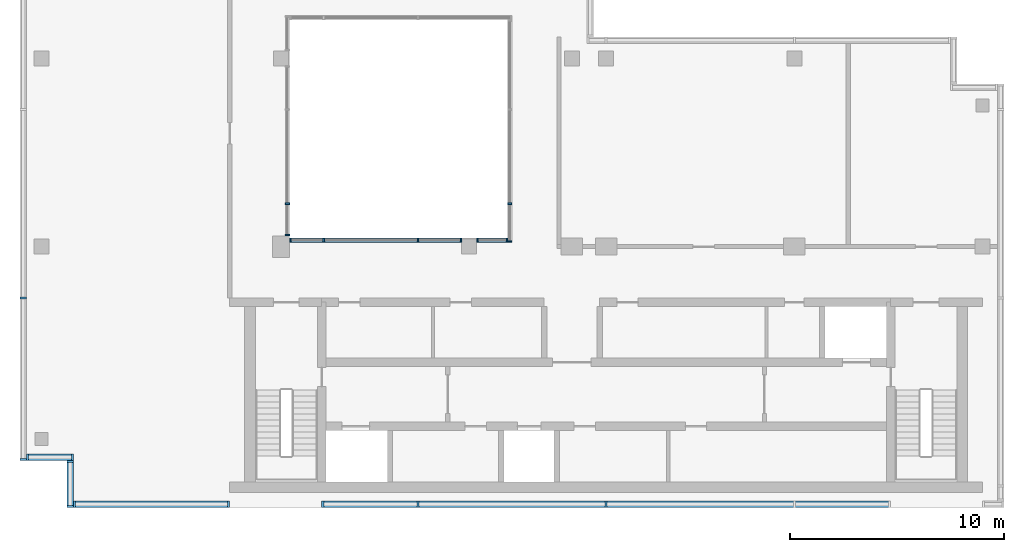
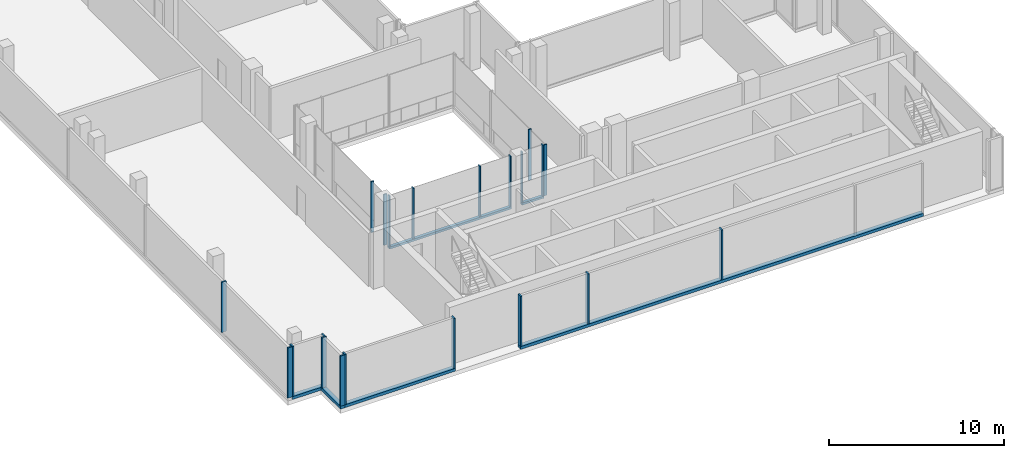
# One storey, part 2 of 10: 27 members, 9 elements without a shape of their own.
"""IFC4 building model written with IfcOpenShell, lengths in metres."""

from ifc_helpers import new_model, si_unit, direction, frame, origin, origin_2d, place, context, subcontext, project, spatial, rectangle, extrude, source, transform, mapped, material, material_profile, profile_set, type_object, element, aggregate, save


model = new_model("IFC4")

# Units and contexts
model_context = context("Model", 3, precision=1e-05, world=origin(), true_north=direction((0.0, 1.0)))
body_context = subcontext(model_context, "Body", "Model", "MODEL_VIEW")
ifc_project = project(units=[si_unit("LENGTHUNIT", "METRE"), si_unit("AREAUNIT", "SQUARE_METRE"), si_unit("VOLUMEUNIT", "CUBIC_METRE"), si_unit("PLANEANGLEUNIT", "RADIAN"), si_unit("MASSUNIT", "GRAM", prefix="KILO")], contexts=[model_context])

# Site, building, storey
site_placement = place(None, origin())
site = spatial("IfcSite", under=ifc_project, at=site_placement, CompositionType="ELEMENT")
building_placement = place(site_placement, origin())
building = spatial("IfcBuilding", under=site, at=building_placement, Name="Kemantara Hotel Tower", CompositionType="ELEMENT")
storey_placement = place(building_placement, frame((0.0, 0.0, 318.199951171875)))
storey = spatial("IfcBuildingStorey", under=building, at=storey_placement, Name="L80", CompositionType="ELEMENT", Elevation=318.199951171875)

# Curtain wall, member
ifc_material_1 = material(Name="Clear low-iron laminated glass 36 mm", Category="glass")
curtain_wall_type_1 = type_object("IfcCurtainWallType", Name="ATRIUM GLAZING WALL", PredefinedType="USERDEFINED", material=ifc_material_1)
curtain_wall_1_placement = place(storey_placement, origin())
curtain_wall_1 = element("IfcCurtainWall", 1, at=curtain_wall_1_placement, inside=storey, type_object=curtain_wall_type_1, Name="CW5 L80 ATR-R2-1", ObjectType="ATRIUM GLAZING WALL", PredefinedType="USERDEFINED")
ifc_material_2 = material(Name="Aluminium 6063-T6 bronze anodised", Category="aluminium")
ifc_material_profile_1 = material_profile(ifc_material_2, rectangle(XDim=0.199951171875, YDim=0.14990234375, at=origin_2d()), Name="ATRIUM GLAZING WALL TRANSOM")
ifc_profile_set_1 = profile_set([ifc_material_profile_1], Name="Aluminium 6063-T6 bronze anodised")
member_type_1 = type_object("IfcMemberType", Name="ATRIUM GLAZING WALL TRANSOM", PredefinedType="USERDEFINED", material=ifc_profile_set_1)
member_1_placement = place(storey_placement, frame((22.800048828125, 12.5, 0.074951171875), z_axis=(-1.0, 0.0, 0.0), x_axis=(0.0, -1.0, 0.0)))
member_1 = element("IfcMember", 2, at=member_1_placement, type_object=member_type_1, Name="CW5 sill transom ATR-R2-1", ObjectType="TRANSOM", PredefinedType="USERDEFINED", context=body_context, shape_type="SweptSolid", body=[
    extrude(rectangle(XDim=0.199951171875, YDim=0.14990234375, at=origin_2d()), origin(), (0.0, 0.0, 1.0), 1.449951171875),
])

curtain_wall_2_placement = place(storey_placement, origin())
curtain_wall_2 = element("IfcCurtainWall", 3, at=curtain_wall_2_placement, inside=storey, type_object=curtain_wall_type_1, Name="CW5 L80 ATR-R2-2", ObjectType="ATRIUM GLAZING WALL", PredefinedType="USERDEFINED")
member_2_placement = place(storey_placement, frame((20.64990234375, 12.5, 0.074951171875), z_axis=(-1.0, 0.0, 0.0), x_axis=(0.0, -1.0, 0.0)))
member_2 = element("IfcMember", 4, at=member_2_placement, type_object=member_type_1, Name="CW5 sill transom ATR-R2-2", ObjectType="TRANSOM", PredefinedType="USERDEFINED", context=body_context, shape_type="SweptSolid", body=[
    extrude(rectangle(XDim=0.199951171875, YDim=0.14990234375, at=origin_2d()), origin(), (0.0, 0.0, 1.0), 8.0498046875),
])

curtain_wall_type_2 = type_object("IfcCurtainWallType", Name="CROWN LOUVRE SCREEN WALL", PredefinedType="USERDEFINED", material=ifc_material_2)
curtain_wall_3_placement = place(storey_placement, origin())
curtain_wall_3 = element("IfcCurtainWall", 5, at=curtain_wall_3_placement, inside=storey, type_object=curtain_wall_type_2, Name="CW7 L80 CRN-R08-1", ObjectType="CROWN LOUVRE SCREEN WALL", PredefinedType="USERDEFINED")
ifc_material_profile_2 = material_profile(ifc_material_2, rectangle(XDim=0.300048828125, YDim=0.199951171875, at=origin_2d()), Name="CROWN LOUVRE SCREEN WALL TRANSOM")
ifc_profile_set_2 = profile_set([ifc_material_profile_2], Name="Aluminium 6063-T6 bronze anodised")
member_type_2 = type_object("IfcMemberType", Name="CROWN LOUVRE SCREEN WALL TRANSOM", PredefinedType="USERDEFINED", material=ifc_profile_set_2)
member_3_placement = place(storey_placement, frame((2.5, 0.14990234375, 0.10009765625), z_axis=(1.0, 0.0, 0.0), x_axis=(0.0, 1.0, 0.0)))
member_3 = element("IfcMember", 6, at=member_3_placement, type_object=member_type_2, Name="CW7 sill transom CRN-R08-1", ObjectType="TRANSOM", PredefinedType="USERDEFINED", context=body_context, shape_type="SweptSolid", body=[
    extrude(rectangle(XDim=0.300048828125, YDim=0.199951171875, at=origin_2d()), origin(), (0.0, 0.0, 1.0), 7.300048828125),
])

curtain_wall_4_placement = place(storey_placement, origin())
curtain_wall_4 = element("IfcCurtainWall", 7, at=curtain_wall_4_placement, inside=storey, type_object=curtain_wall_type_2, Name="CW7 L80 CRN-R08-2", ObjectType="CROWN LOUVRE SCREEN WALL", PredefinedType="USERDEFINED")
member_4_placement = place(storey_placement, frame((14.10009765625, 0.14990234375, 0.10009765625), z_axis=(1.0, 0.0, 0.0), x_axis=(0.0, 1.0, 0.0)))
member_4 = element("IfcMember", 8, at=member_4_placement, type_object=member_type_2, Name="CW7 sill transom CRN-R08-2", ObjectType="TRANSOM", PredefinedType="USERDEFINED", context=body_context, shape_type="SweptSolid", body=[
    extrude(rectangle(XDim=0.300048828125, YDim=0.199951171875, at=origin_2d()), origin(), (0.0, 0.0, 1.0), 26.599853515625),
])

curtain_wall_5_placement = place(storey_placement, origin())
curtain_wall_5 = element("IfcCurtainWall", 9, at=curtain_wall_5_placement, inside=storey, type_object=curtain_wall_type_2, Name="CW7 L80 CRN-R06-1", ObjectType="CROWN LOUVRE SCREEN WALL", PredefinedType="USERDEFINED")
member_5_placement = place(storey_placement, frame((0.300048828125, 2.35009765625, 0.10009765625), z_axis=(1.0, 0.0, 0.0), x_axis=(0.0, 1.0, 0.0)))
member_5 = element("IfcMember", 10, at=member_5_placement, type_object=member_type_2, Name="CW7 sill transom CRN-R06-1", ObjectType="TRANSOM", PredefinedType="USERDEFINED", context=body_context, shape_type="SweptSolid", body=[
    extrude(rectangle(XDim=0.300048828125, YDim=0.199951171875, at=origin_2d()), origin(), (0.0, 0.0, 1.0), 2.199951171875),
])

curtain_wall_6_placement = place(storey_placement, origin())
curtain_wall_6 = element("IfcCurtainWall", 11, at=curtain_wall_6_placement, inside=storey, type_object=curtain_wall_type_2, Name="CW7 L80 CRN-R07-1", ObjectType="CROWN LOUVRE SCREEN WALL", PredefinedType="USERDEFINED")
member_6_placement = place(storey_placement, frame((2.35009765625, 2.199951171875, 0.10009765625), z_axis=(0.0, -1.0, 0.0), x_axis=(1.0, 0.0, 0.0)))
member_6 = element("IfcMember", 12, at=member_6_placement, type_object=member_type_2, Name="CW7 sill transom CRN-R07-1", ObjectType="TRANSOM", PredefinedType="USERDEFINED", context=body_context, shape_type="SweptSolid", body=[
    extrude(rectangle(XDim=0.300048828125, YDim=0.199951171875, at=origin_2d()), origin(), (0.0, 0.0, 1.0), 2.199951171875),
])

# Curtain wall, members
curtain_wall_7_placement = place(storey_placement, origin())
curtain_wall_7 = element("IfcCurtainWall", 13, at=curtain_wall_7_placement, inside=storey, type_object=curtain_wall_type_2, Name="CW7 L80 CRN-R05-1", ObjectType="CROWN LOUVRE SCREEN WALL", PredefinedType="USERDEFINED")
ifc_material_profile_3 = material_profile(ifc_material_2, rectangle(XDim=0.300048828125, YDim=0.10009765625, at=origin_2d()), Name="CROWN LOUVRE SCREEN WALL MULLION")
ifc_profile_set_3 = profile_set([ifc_material_profile_3], Name="Aluminium 6063-T6 bronze anodised")
member_type_3 = type_object("IfcMemberType", Name="CROWN LOUVRE SCREEN WALL MULLION", PredefinedType="MULLION", material=ifc_profile_set_3)
shared_shape_1 = source(origin(), body_context, "Body", "SweptSolid", [
    extrude(rectangle(XDim=0.300048828125, YDim=0.10009765625, at=origin_2d()), origin(), (0.0, 0.0, 1.0), 3.5),
])
member_7_placement = place(storey_placement, frame((0.14990234375, 9.800048828125, 0.199951171875), z_axis=(0.0, 0.0, 1.0), x_axis=(1.0, 0.0, 0.0)))
member_7 = element("IfcMember", 14, at=member_7_placement, type_object=member_type_3, Name="CW7 mullion CRN-R05-1.7", PredefinedType="MULLION", context=body_context, shape_type="MappedRepresentation", body=[
    mapped(shared_shape_1, transform((0.0, 0.0, 0.0))),
])
member_8_placement = place(storey_placement, frame((0.14990234375, 2.25, 0.199951171875), z_axis=(0.0, 0.0, 1.0), x_axis=(1.0, 0.0, 0.0)))
member_8 = element("IfcMember", 15, at=member_8_placement, type_object=member_type_3, Name="CW7 mullion CRN-R05-1.8", PredefinedType="MULLION", context=body_context, shape_type="MappedRepresentation", body=[
    mapped(shared_shape_1, transform((0.0, 0.0, 0.0))),
])
aggregate(curtain_wall_7, [member_7, member_8])

# Member
member_9_placement = place(storey_placement, frame((2.550048828125, 0.14990234375, 0.199951171875), z_axis=(0.0, 0.0, 1.0), x_axis=(0.0, 1.0, 0.0)))
member_9 = element("IfcMember", 16, at=member_9_placement, type_object=member_type_3, Name="CW7 mullion CRN-R08-1.1", PredefinedType="MULLION", context=body_context, shape_type="MappedRepresentation", body=[
    mapped(shared_shape_1, transform((0.0, 0.0, 0.0))),
])

member_10_placement = place(storey_placement, frame((9.75, 0.14990234375, 0.199951171875), z_axis=(0.0, 0.0, 1.0), x_axis=(0.0, 1.0, 0.0)))
member_10 = element("IfcMember", 17, at=member_10_placement, type_object=member_type_3, Name="CW7 mullion CRN-R08-1.2", PredefinedType="MULLION", context=body_context, shape_type="MappedRepresentation", body=[
    mapped(shared_shape_1, transform((0.0, 0.0, 0.0))),
])

aggregate(curtain_wall_3, [member_3, member_9, member_10])

member_11_placement = place(storey_placement, frame((14.14990234375, 0.14990234375, 0.199951171875), z_axis=(0.0, 0.0, 1.0), x_axis=(0.0, 1.0, 0.0)))
member_11 = element("IfcMember", 18, at=member_11_placement, type_object=member_type_3, Name="CW7 mullion CRN-R08-2.1", PredefinedType="MULLION", context=body_context, shape_type="MappedRepresentation", body=[
    mapped(shared_shape_1, transform((0.0, 0.0, 0.0))),
])

member_12_placement = place(storey_placement, frame((18.60009765625, 0.14990234375, 0.199951171875), z_axis=(0.0, 0.0, 1.0), x_axis=(0.0, 1.0, 0.0)))
member_12 = element("IfcMember", 19, at=member_12_placement, type_object=member_type_3, Name="CW7 mullion CRN-R08-2.2", PredefinedType="MULLION", context=body_context, shape_type="MappedRepresentation", body=[
    mapped(shared_shape_1, transform((0.0, 0.0, 0.0))),
])

member_13_placement = place(storey_placement, frame((27.39990234375, 0.14990234375, 0.199951171875), z_axis=(0.0, 0.0, 1.0), x_axis=(0.0, 1.0, 0.0)))
member_13 = element("IfcMember", 20, at=member_13_placement, type_object=member_type_3, Name="CW7 mullion CRN-R08-2.3", PredefinedType="MULLION", context=body_context, shape_type="MappedRepresentation", body=[
    mapped(shared_shape_1, transform((0.0, 0.0, 0.0))),
])

aggregate(curtain_wall_4, [member_4, member_11, member_12, member_13])

member_14_placement = place(storey_placement, frame((0.35009765625, 2.35009765625, 0.199951171875), z_axis=(0.0, 0.0, 1.0), x_axis=(0.0, 1.0, 0.0)))
member_14 = element("IfcMember", 21, at=member_14_placement, type_object=member_type_3, Name="CW7 mullion CRN-R06-1.1", PredefinedType="MULLION", context=body_context, shape_type="MappedRepresentation", body=[
    mapped(shared_shape_1, transform((0.0, 0.0, 0.0))),
])

member_15_placement = place(storey_placement, frame((2.449951171875, 2.35009765625, 0.199951171875), z_axis=(0.0, 0.0, 1.0), x_axis=(0.0, 1.0, 0.0)))
member_15 = element("IfcMember", 22, at=member_15_placement, type_object=member_type_3, Name="CW7 mullion CRN-R06-1.2", PredefinedType="MULLION", context=body_context, shape_type="MappedRepresentation", body=[
    mapped(shared_shape_1, transform((0.0, 0.0, 0.0))),
])

aggregate(curtain_wall_5, [member_5, member_14, member_15])

member_16_placement = place(storey_placement, frame((2.35009765625, 2.14990234375, 0.199951171875), z_axis=(0.0, 0.0, 1.0), x_axis=(1.0, 0.0, 0.0)))
member_16 = element("IfcMember", 23, at=member_16_placement, type_object=member_type_3, Name="CW7 mullion CRN-R07-1.1", PredefinedType="MULLION", context=body_context, shape_type="MappedRepresentation", body=[
    mapped(shared_shape_1, transform((0.0, 0.0, 0.0))),
])

member_17_placement = place(storey_placement, frame((2.35009765625, 0.050048828125, 0.199951171875), z_axis=(0.0, 0.0, 1.0), x_axis=(1.0, 0.0, 0.0)))
member_17 = element("IfcMember", 24, at=member_17_placement, type_object=member_type_3, Name="CW7 mullion CRN-R07-1.2", PredefinedType="MULLION", context=body_context, shape_type="MappedRepresentation", body=[
    mapped(shared_shape_1, transform((0.0, 0.0, 0.0))),
])

aggregate(curtain_wall_6, [member_6, member_16, member_17])

# Curtain wall, members
curtain_wall_8_placement = place(storey_placement, origin())
curtain_wall_8 = element("IfcCurtainWall", 25, at=curtain_wall_8_placement, inside=storey, type_object=curtain_wall_type_1, Name="CW5 L80 ATR-R1-1", ObjectType="ATRIUM GLAZING WALL", PredefinedType="USERDEFINED")
ifc_material_profile_4 = material_profile(ifc_material_2, rectangle(XDim=0.199951171875, YDim=0.074951171875, at=origin_2d()), Name="ATRIUM GLAZING WALL MULLION")
ifc_profile_set_4 = profile_set([ifc_material_profile_4], Name="Aluminium 6063-T6 bronze anodised")
member_type_4 = type_object("IfcMemberType", Name="ATRIUM GLAZING WALL MULLION", PredefinedType="MULLION", material=ifc_profile_set_4)
shared_shape_2 = source(origin(), body_context, "Body", "SweptSolid", [
    extrude(rectangle(XDim=0.199951171875, YDim=0.074951171875, at=origin_2d()), origin(), (0.0, 0.0, 1.0), 3.5498046875),
])
member_18_placement = place(storey_placement, frame((22.89990234375, 14.199951171875, 0.150146484375), z_axis=(0.0, 0.0, 1.0), x_axis=(1.0, 0.0, 0.0)))
member_18 = element("IfcMember", 26, at=member_18_placement, type_object=member_type_4, Name="CW5 mullion ATR-R1-1.3", PredefinedType="MULLION", context=body_context, shape_type="MappedRepresentation", body=[
    mapped(shared_shape_2, transform((0.0, 0.0, 0.0))),
])
member_19_placement = place(storey_placement, frame((22.89990234375, 12.4375, 0.150146484375), z_axis=(0.0, 0.0, 1.0), x_axis=(1.0, 0.0, 0.0)))
member_19 = element("IfcMember", 27, at=member_19_placement, type_object=member_type_4, Name="CW5 mullion ATR-R1-1.4", PredefinedType="MULLION", context=body_context, shape_type="MappedRepresentation", body=[
    mapped(shared_shape_2, transform((0.0, 0.0, 0.0))),
])
aggregate(curtain_wall_8, [member_18, member_19])

# Member
member_20_placement = place(storey_placement, frame((22.762451171875, 12.5, 0.150146484375), z_axis=(0.0, 0.0, 1.0), x_axis=(0.0, -1.0, 0.0)))
member_20 = element("IfcMember", 28, at=member_20_placement, type_object=member_type_4, Name="CW5 mullion ATR-R2-1.1", PredefinedType="MULLION", context=body_context, shape_type="MappedRepresentation", body=[
    mapped(shared_shape_2, transform((0.0, 0.0, 0.0))),
])

member_21_placement = place(storey_placement, frame((21.387451171875, 12.5, 0.150146484375), z_axis=(0.0, 0.0, 1.0), x_axis=(0.0, -1.0, 0.0)))
member_21 = element("IfcMember", 29, at=member_21_placement, type_object=member_type_4, Name="CW5 mullion ATR-R2-1.2", PredefinedType="MULLION", context=body_context, shape_type="MappedRepresentation", body=[
    mapped(shared_shape_2, transform((0.0, 0.0, 0.0))),
])

aggregate(curtain_wall_1, [member_1, member_20, member_21])

member_22_placement = place(storey_placement, frame((20.612548828125, 12.5, 0.150146484375), z_axis=(0.0, 0.0, 1.0), x_axis=(0.0, -1.0, 0.0)))
member_22 = element("IfcMember", 30, at=member_22_placement, type_object=member_type_4, Name="CW5 mullion ATR-R2-2.1", PredefinedType="MULLION", context=body_context, shape_type="MappedRepresentation", body=[
    mapped(shared_shape_2, transform((0.0, 0.0, 0.0))),
])

member_23_placement = place(storey_placement, frame((18.60009765625, 12.5, 0.150146484375), z_axis=(0.0, 0.0, 1.0), x_axis=(0.0, -1.0, 0.0)))
member_23 = element("IfcMember", 31, at=member_23_placement, type_object=member_type_4, Name="CW5 mullion ATR-R2-2.2", PredefinedType="MULLION", context=body_context, shape_type="MappedRepresentation", body=[
    mapped(shared_shape_2, transform((0.0, 0.0, 0.0))),
])

member_24_placement = place(storey_placement, frame((14.199951171875, 12.5, 0.150146484375), z_axis=(0.0, 0.0, 1.0), x_axis=(0.0, -1.0, 0.0)))
member_24 = element("IfcMember", 32, at=member_24_placement, type_object=member_type_4, Name="CW5 mullion ATR-R2-2.3", PredefinedType="MULLION", context=body_context, shape_type="MappedRepresentation", body=[
    mapped(shared_shape_2, transform((0.0, 0.0, 0.0))),
])

member_25_placement = place(storey_placement, frame((12.637451171875, 12.5, 0.150146484375), z_axis=(0.0, 0.0, 1.0), x_axis=(0.0, -1.0, 0.0)))
member_25 = element("IfcMember", 33, at=member_25_placement, type_object=member_type_4, Name="CW5 mullion ATR-R2-2.4", PredefinedType="MULLION", context=body_context, shape_type="MappedRepresentation", body=[
    mapped(shared_shape_2, transform((0.0, 0.0, 0.0))),
])

aggregate(curtain_wall_2, [member_2, member_22, member_23, member_24, member_25])

# Curtain wall, members
curtain_wall_9_placement = place(storey_placement, origin())
curtain_wall_9 = element("IfcCurtainWall", 34, at=curtain_wall_9_placement, inside=storey, type_object=curtain_wall_type_1, Name="CW5 L80 ATR-R3-1", ObjectType="ATRIUM GLAZING WALL", PredefinedType="USERDEFINED")
member_26_placement = place(storey_placement, frame((12.5, 12.737548828125, 0.150146484375), z_axis=(0.0, 0.0, 1.0), x_axis=(-1.0, 0.0, 0.0)))
member_26 = element("IfcMember", 35, at=member_26_placement, type_object=member_type_4, Name="CW5 mullion ATR-R3-1.1", PredefinedType="MULLION", context=body_context, shape_type="MappedRepresentation", body=[
    mapped(shared_shape_2, transform((0.0, 0.0, 0.0))),
])
member_27_placement = place(storey_placement, frame((12.5, 14.199951171875, 0.150146484375), z_axis=(0.0, 0.0, 1.0), x_axis=(-1.0, 0.0, 0.0)))
member_27 = element("IfcMember", 36, at=member_27_placement, type_object=member_type_4, Name="CW5 mullion ATR-R3-1.2", PredefinedType="MULLION", context=body_context, shape_type="MappedRepresentation", body=[
    mapped(shared_shape_2, transform((0.0, 0.0, 0.0))),
])
aggregate(curtain_wall_9, [member_26, member_27])

save(model, "model.ifc")
